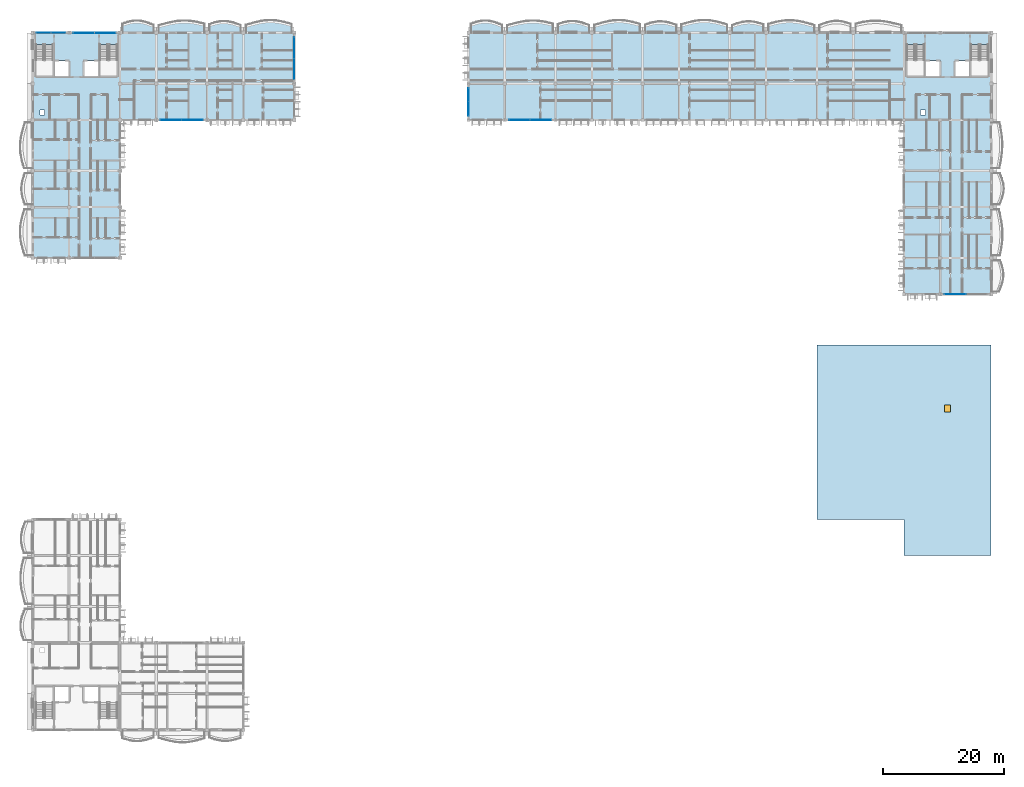
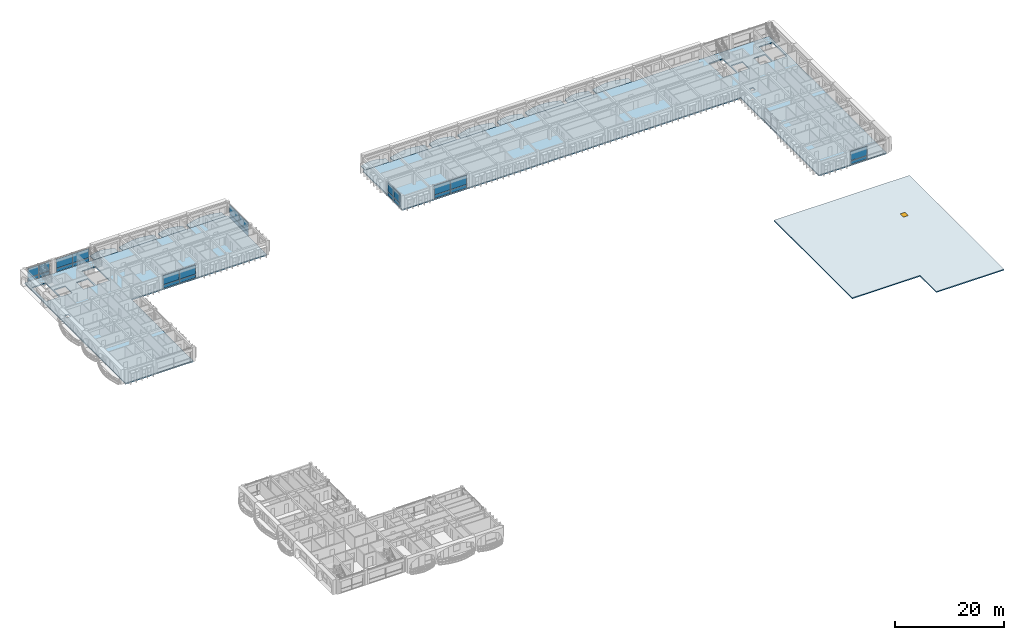
# One storey, part 18 of 54: 26 plates, 15 slabs, 1 door, 1 opening, 7 elements without a shape of their own.
"""IFC4 building model written with IfcOpenShell, lengths in metres."""

from ifc_helpers import new_model, si_unit, direction, frame, origin, origin_2d, place, context, subcontext, project, spatial, polyline, rectangle, outline, extrude, material, layer, layer_set, type_object, element, fill, aggregate, save


model = new_model("IFC4")

# Units and contexts
model_context = context("Model", 3, precision=1e-05, world=origin(), true_north=direction((0.0, 1.0)))
body_context = subcontext(model_context, "Body", "Model", "MODEL_VIEW")
ifc_project = project(units=[si_unit("LENGTHUNIT", "METRE"), si_unit("AREAUNIT", "SQUARE_METRE"), si_unit("VOLUMEUNIT", "CUBIC_METRE"), si_unit("PLANEANGLEUNIT", "RADIAN"), si_unit("MASSUNIT", "GRAM", prefix="KILO"), si_unit("THERMODYNAMICTEMPERATUREUNIT", "KELVIN")], contexts=[model_context])

# Site, building, storey
site_placement = place(None, origin())
site = spatial("IfcSite", under=ifc_project, at=site_placement, CompositionType="ELEMENT")
building_placement = place(site_placement, origin())
building = spatial("IfcBuilding", under=site, at=building_placement, Name="Thalorik Housing Commons", CompositionType="ELEMENT")
storey_placement = place(building_placement, frame((0.0, 0.0, 31.199951171875)))
storey = spatial("IfcBuildingStorey", under=building, at=storey_placement, Name="L09", CompositionType="ELEMENT", Elevation=31.199951171875)

# Curtain wall, plates
ifc_material_1 = material(Name="Anodised aluminium and solar-control low-E glass", Category="aluminium")
curtain_wall_type_1 = type_object("IfcCurtainWallType", Name="ARC-CW-LOUNGE", PredefinedType="USERDEFINED", material=ifc_material_1)
curtain_wall_1_placement = place(storey_placement, origin())
curtain_wall_1 = element("IfcCurtainWall", 1, at=curtain_wall_1_placement, inside=storey, type_object=curtain_wall_type_1, Name="L09 Curtain Wall CW-RES-L09-B-112", ObjectType="CURTAIN WALL", PredefinedType="USERDEFINED")
ifc_material_2 = material(Name="Cobalt blue enamelled aluminium spandrel panel", Category="aluminium")
ifc_layer_1 = layer(ifc_material_2, 0.0458984375, Name="Cobalt blue enamelled aluminium spandrel panel", Category="aluminium")
ifc_layer_set_1 = layer_set([ifc_layer_1], Name="Cobalt blue enamelled aluminium spandrel panel")
plate_type_1 = type_object("IfcPlateType", Name="ARC-CP-BLU-46", PredefinedType="CURTAIN_PANEL", material=ifc_layer_set_1)
plate_1_placement = place(storey_placement, frame((88.85009765625, 109.199951171875, 0.080078125), z_axis=(0.0, 0.0, 1.0), x_axis=(1.0, 0.0, 0.0)))
plate_1 = element("IfcPlate", 2, at=plate_1_placement, type_object=plate_type_1, Name="CW-RES-L09-B-112 Spandrel Panel 1", PredefinedType="CURTAIN_PANEL", context=body_context, shape_type="SweptSolid", body=[
    extrude(rectangle(XDim=3.43994140625, YDim=0.0458984375, at=origin_2d()), origin(), (0.0, 0.0, 1.0), 0.760009765625),
])
plate_2_placement = place(storey_placement, frame((92.35009765625, 109.199951171875, 0.080078125), z_axis=(0.0, 0.0, 1.0), x_axis=(1.0, 0.0, 0.0)))
plate_2 = element("IfcPlate", 3, at=plate_2_placement, type_object=plate_type_1, Name="CW-RES-L09-B-112 Spandrel Panel 2", PredefinedType="CURTAIN_PANEL", context=body_context, shape_type="SweptSolid", body=[
    extrude(rectangle(XDim=3.43994140625, YDim=0.0458984375, at=origin_2d()), origin(), (0.0, 0.0, 1.0), 0.760009765625),
])

curtain_wall_2_placement = place(storey_placement, origin())
curtain_wall_2 = element("IfcCurtainWall", 4, at=curtain_wall_2_placement, inside=storey, type_object=curtain_wall_type_1, Name="L09 Curtain Wall CW-RES-L09-A-038", ObjectType="CURTAIN WALL", PredefinedType="USERDEFINED")
ifc_material_3 = material(Name="Double solar-control low-E glass", Category="glass")
ifc_layer_2 = layer(ifc_material_3, 0.028076171875, Name="Double solar-control low-E glass", Category="glass")
ifc_layer_set_2 = layer_set([ifc_layer_2], Name="Double solar-control low-E glass")
plate_type_2 = type_object("IfcPlateType", Name="ARC-CP-GLZ-28", PredefinedType="CURTAIN_PANEL", material=ifc_layer_set_2)
plate_3_placement = place(storey_placement, frame((31.25, 109.199951171875, 0.919921875), z_axis=(0.0, 0.0, 1.0), x_axis=(1.0, 0.0, 0.0)))
plate_3 = element("IfcPlate", 5, at=plate_3_placement, type_object=plate_type_2, Name="CW-RES-L09-A-038 Vision Panel 1", PredefinedType="CURTAIN_PANEL", context=body_context, shape_type="SweptSolid", body=[
    extrude(rectangle(XDim=3.43994140625, YDim=0.028076171875, at=origin_2d()), origin(), (0.0, 0.0, 1.0), 2.0400390625),
])
plate_4_placement = place(storey_placement, frame((34.75, 109.199951171875, 0.919921875), z_axis=(0.0, 0.0, 1.0), x_axis=(1.0, 0.0, 0.0)))
plate_4 = element("IfcPlate", 6, at=plate_4_placement, type_object=plate_type_2, Name="CW-RES-L09-A-038 Vision Panel 2", PredefinedType="CURTAIN_PANEL", context=body_context, shape_type="SweptSolid", body=[
    extrude(rectangle(XDim=3.43994140625, YDim=0.028076171875, at=origin_2d()), origin(), (0.0, 0.0, 1.0), 2.0400390625),
])

curtain_wall_3_placement = place(storey_placement, origin())
curtain_wall_3 = element("IfcCurtainWall", 7, at=curtain_wall_3_placement, inside=storey, type_object=curtain_wall_type_1, Name="L09 Curtain Wall CW-RES-L09-A-039", ObjectType="CURTAIN WALL", PredefinedType="USERDEFINED")
plate_5_placement = place(storey_placement, frame((51.60009765625, 117.64990234375, 0.919921875), z_axis=(0.0, 0.0, 1.0), x_axis=(0.0, 1.0, 0.0)))
plate_5 = element("IfcPlate", 8, at=plate_5_placement, type_object=plate_type_2, Name="CW-RES-L09-A-039 Vision Panel 1", PredefinedType="CURTAIN_PANEL", context=body_context, shape_type="SweptSolid", body=[
    extrude(rectangle(XDim=3.43994140625, YDim=0.028076171875, at=origin_2d()), origin(), (0.0, 0.0, 1.0), 2.0400390625),
])
plate_6_placement = place(storey_placement, frame((51.60009765625, 121.14990234375, 0.919921875), z_axis=(0.0, 0.0, 1.0), x_axis=(0.0, 1.0, 0.0)))
plate_6 = element("IfcPlate", 9, at=plate_6_placement, type_object=plate_type_2, Name="CW-RES-L09-A-039 Vision Panel 2", PredefinedType="CURTAIN_PANEL", context=body_context, shape_type="SweptSolid", body=[
    extrude(rectangle(XDim=3.43994140625, YDim=0.028076171875, at=origin_2d()), origin(), (0.0, 0.0, 1.0), 2.0400390625),
])

curtain_wall_type_2 = type_object("IfcCurtainWallType", Name="ARC-CW-CORE", PredefinedType="USERDEFINED", material=ifc_material_1)
curtain_wall_4_placement = place(storey_placement, origin())
curtain_wall_4 = element("IfcCurtainWall", 10, at=curtain_wall_4_placement, inside=storey, type_object=curtain_wall_type_2, Name="L09 Curtain Wall CW-CORE-L09-A-040", ObjectType="CURTAIN WALL", PredefinedType="USERDEFINED")
plate_7_placement = place(storey_placement, frame((20.375, 123.60009765625, 0.919921875), z_axis=(0.0, 0.0, 1.0), x_axis=(-1.0, 0.0, 0.0)))
plate_7 = element("IfcPlate", 11, at=plate_7_placement, type_object=plate_type_2, Name="CW-CORE-L09-A-040 Vision Panel 1", PredefinedType="CURTAIN_PANEL", context=body_context, shape_type="SweptSolid", body=[
    extrude(rectangle(XDim=3.489990234375, YDim=0.028076171875, at=origin_2d()), origin(), (0.0, 0.0, 1.0), 2.0400390625),
])
plate_8_placement = place(storey_placement, frame((16.824951171875, 123.60009765625, 0.919921875), z_axis=(0.0, 0.0, 1.0), x_axis=(-1.0, 0.0, 0.0)))
plate_8 = element("IfcPlate", 12, at=plate_8_placement, type_object=plate_type_2, Name="CW-CORE-L09-A-040 Vision Panel 2", PredefinedType="CURTAIN_PANEL", context=body_context, shape_type="SweptSolid", body=[
    extrude(rectangle(XDim=3.489990234375, YDim=0.028076171875, at=origin_2d()), origin(), (0.0, 0.0, 1.0), 2.0400390625),
])

curtain_wall_5_placement = place(storey_placement, origin())
curtain_wall_5 = element("IfcCurtainWall", 13, at=curtain_wall_5_placement, inside=storey, type_object=curtain_wall_type_2, Name="L09 Curtain Wall CW-CORE-L09-A-041", ObjectType="CURTAIN WALL", PredefinedType="USERDEFINED")
plate_9_placement = place(storey_placement, frame((12.574951171875, 123.60009765625, 0.919921875), z_axis=(0.0, 0.0, 1.0), x_axis=(-1.0, 0.0, 0.0)))
plate_9 = element("IfcPlate", 14, at=plate_9_placement, type_object=plate_type_2, Name="CW-CORE-L09-A-041 Vision Panel 1", PredefinedType="CURTAIN_PANEL", context=body_context, shape_type="SweptSolid", body=[
    extrude(rectangle(XDim=2.2900390625, YDim=0.028076171875, at=origin_2d()), origin(), (0.0, 0.0, 1.0), 2.0400390625),
])
plate_10_placement = place(storey_placement, frame((10.22509765625, 123.60009765625, 0.919921875), z_axis=(0.0, 0.0, 1.0), x_axis=(-1.0, 0.0, 0.0)))
plate_10 = element("IfcPlate", 15, at=plate_10_placement, type_object=plate_type_2, Name="CW-CORE-L09-A-041 Vision Panel 2", PredefinedType="CURTAIN_PANEL", context=body_context, shape_type="SweptSolid", body=[
    extrude(rectangle(XDim=2.2900390625, YDim=0.028076171875, at=origin_2d()), origin(), (0.0, 0.0, 1.0), 2.0400390625),
])

curtain_wall_6_placement = place(storey_placement, origin())
curtain_wall_6 = element("IfcCurtainWall", 16, at=curtain_wall_6_placement, inside=storey, type_object=curtain_wall_type_1, Name="L09 Curtain Wall CW-RES-L09-B-111", ObjectType="CURTAIN WALL", PredefinedType="USERDEFINED")
plate_11_placement = place(storey_placement, frame((80.39990234375, 113.35009765625, 0.919921875), z_axis=(0.0, 0.0, 1.0), x_axis=(0.0, -1.0, 0.0)))
plate_11 = element("IfcPlate", 17, at=plate_11_placement, type_object=plate_type_2, Name="CW-RES-L09-B-111 Vision Panel 1", PredefinedType="CURTAIN_PANEL", context=body_context, shape_type="SweptSolid", body=[
    extrude(rectangle(XDim=2.239990234375, YDim=0.028076171875, at=origin_2d()), origin(), (0.0, 0.0, 1.0), 2.0400390625),
])
plate_12_placement = place(storey_placement, frame((80.39990234375, 111.050048828125, 0.919921875), z_axis=(0.0, 0.0, 1.0), x_axis=(0.0, -1.0, 0.0)))
plate_12 = element("IfcPlate", 18, at=plate_12_placement, type_object=plate_type_2, Name="CW-RES-L09-B-111 Vision Panel 2", PredefinedType="CURTAIN_PANEL", context=body_context, shape_type="SweptSolid", body=[
    extrude(rectangle(XDim=2.239990234375, YDim=0.028076171875, at=origin_2d()), origin(), (0.0, 0.0, 1.0), 2.0400390625),
])

# Plate
plate_13_placement = place(storey_placement, frame((88.85009765625, 109.199951171875, 0.919921875), z_axis=(0.0, 0.0, 1.0), x_axis=(1.0, 0.0, 0.0)))
plate_13 = element("IfcPlate", 19, at=plate_13_placement, type_object=plate_type_2, Name="CW-RES-L09-B-112 Vision Panel 1", PredefinedType="CURTAIN_PANEL", context=body_context, shape_type="SweptSolid", body=[
    extrude(rectangle(XDim=3.43994140625, YDim=0.028076171875, at=origin_2d()), origin(), (0.0, 0.0, 1.0), 2.0400390625),
])

plate_14_placement = place(storey_placement, frame((92.35009765625, 109.199951171875, 0.919921875), z_axis=(0.0, 0.0, 1.0), x_axis=(1.0, 0.0, 0.0)))
plate_14 = element("IfcPlate", 20, at=plate_14_placement, type_object=plate_type_2, Name="CW-RES-L09-B-112 Vision Panel 2", PredefinedType="CURTAIN_PANEL", context=body_context, shape_type="SweptSolid", body=[
    extrude(rectangle(XDim=3.43994140625, YDim=0.028076171875, at=origin_2d()), origin(), (0.0, 0.0, 1.0), 2.0400390625),
])

aggregate(curtain_wall_1, [plate_1, plate_13, plate_2, plate_14])

# Curtain wall, plate
curtain_wall_7_placement = place(storey_placement, origin())
curtain_wall_7 = element("IfcCurtainWall", 21, at=curtain_wall_7_placement, inside=storey, type_object=curtain_wall_type_1, Name="L09 Curtain Wall CW-RES-L09-B-114", ObjectType="CURTAIN WALL", PredefinedType="USERDEFINED")
plate_15_placement = place(storey_placement, frame((160.85009765625, 80.39990234375, 0.919921875), z_axis=(0.0, 0.0, 1.0), x_axis=(1.0, 0.0, 0.0)))
plate_15 = element("IfcPlate", 22, at=plate_15_placement, type_object=plate_type_2, Name="CW-RES-L09-B-114 Vision Panel 1", PredefinedType="CURTAIN_PANEL", context=body_context, shape_type="SweptSolid", body=[
    extrude(rectangle(XDim=3.43994140625, YDim=0.028076171875, at=origin_2d()), origin(), (0.0, 0.0, 1.0), 2.0400390625),
])

# Plate
ifc_material_4 = material(Name="Oxide red enamelled aluminium spandrel panel", Category="aluminium")
ifc_layer_3 = layer(ifc_material_4, 0.0419921875, Name="Oxide red enamelled aluminium spandrel panel", Category="aluminium")
ifc_layer_set_3 = layer_set([ifc_layer_3], Name="Oxide red enamelled aluminium spandrel panel")
plate_type_3 = type_object("IfcPlateType", Name="ARC-CP-RED-42", PredefinedType="CURTAIN_PANEL", material=ifc_layer_set_3)
plate_16_placement = place(storey_placement, frame((51.60009765625, 117.64990234375, 0.080078125), z_axis=(0.0, 0.0, 1.0), x_axis=(0.0, 1.0, 0.0)))
plate_16 = element("IfcPlate", 23, at=plate_16_placement, type_object=plate_type_3, Name="CW-RES-L09-A-039 Spandrel Panel 1", PredefinedType="CURTAIN_PANEL", context=body_context, shape_type="SweptSolid", body=[
    extrude(rectangle(XDim=3.43994140625, YDim=0.0419921875, at=origin_2d()), origin(), (0.0, 0.0, 1.0), 0.760009765625),
])

plate_17_placement = place(storey_placement, frame((51.60009765625, 121.14990234375, 0.080078125), z_axis=(0.0, 0.0, 1.0), x_axis=(0.0, 1.0, 0.0)))
plate_17 = element("IfcPlate", 24, at=plate_17_placement, type_object=plate_type_3, Name="CW-RES-L09-A-039 Spandrel Panel 2", PredefinedType="CURTAIN_PANEL", context=body_context, shape_type="SweptSolid", body=[
    extrude(rectangle(XDim=3.43994140625, YDim=0.0419921875, at=origin_2d()), origin(), (0.0, 0.0, 1.0), 0.760009765625),
])

aggregate(curtain_wall_3, [plate_16, plate_5, plate_17, plate_6])

plate_18_placement = place(storey_placement, frame((12.574951171875, 123.60009765625, 0.080078125), z_axis=(0.0, 0.0, 1.0), x_axis=(-1.0, 0.0, 0.0)))
plate_18 = element("IfcPlate", 25, at=plate_18_placement, type_object=plate_type_3, Name="CW-CORE-L09-A-041 Spandrel Panel 1", PredefinedType="CURTAIN_PANEL", context=body_context, shape_type="SweptSolid", body=[
    extrude(rectangle(XDim=2.2900390625, YDim=0.0419921875, at=origin_2d()), origin(), (0.0, 0.0, 1.0), 0.760009765625),
])

plate_19_placement = place(storey_placement, frame((10.22509765625, 123.60009765625, 0.080078125), z_axis=(0.0, 0.0, 1.0), x_axis=(-1.0, 0.0, 0.0)))
plate_19 = element("IfcPlate", 26, at=plate_19_placement, type_object=plate_type_3, Name="CW-CORE-L09-A-041 Spandrel Panel 2", PredefinedType="CURTAIN_PANEL", context=body_context, shape_type="SweptSolid", body=[
    extrude(rectangle(XDim=2.2900390625, YDim=0.0419921875, at=origin_2d()), origin(), (0.0, 0.0, 1.0), 0.760009765625),
])

aggregate(curtain_wall_5, [plate_18, plate_9, plate_19, plate_10])

plate_20_placement = place(storey_placement, frame((160.85009765625, 80.39990234375, 0.080078125), z_axis=(0.0, 0.0, 1.0), x_axis=(1.0, 0.0, 0.0)))
plate_20 = element("IfcPlate", 27, at=plate_20_placement, type_object=plate_type_3, Name="CW-RES-L09-B-114 Spandrel Panel 1", PredefinedType="CURTAIN_PANEL", context=body_context, shape_type="SweptSolid", body=[
    extrude(rectangle(XDim=3.43994140625, YDim=0.0419921875, at=origin_2d()), origin(), (0.0, 0.0, 1.0), 0.760009765625),
])

aggregate(curtain_wall_7, [plate_20, plate_15])

ifc_material_5 = material(Name="Mineral ochre yellow aluminium spandrel panel", Category="aluminium")
ifc_layer_4 = layer(ifc_material_5, 0.050048828125, Name="Mineral ochre yellow aluminium spandrel panel", Category="aluminium")
ifc_layer_set_4 = layer_set([ifc_layer_4], Name="Mineral ochre yellow aluminium spandrel panel")
plate_type_4 = type_object("IfcPlateType", Name="ARC-CP-YEL-50", PredefinedType="CURTAIN_PANEL", material=ifc_layer_set_4)
plate_21_placement = place(storey_placement, frame((31.25, 109.199951171875, 0.080078125), z_axis=(0.0, 0.0, 1.0), x_axis=(1.0, 0.0, 0.0)))
plate_21 = element("IfcPlate", 28, at=plate_21_placement, type_object=plate_type_4, Name="CW-RES-L09-A-038 Spandrel Panel 1", PredefinedType="CURTAIN_PANEL", context=body_context, shape_type="SweptSolid", body=[
    extrude(rectangle(XDim=3.43994140625, YDim=0.050048828125, at=origin_2d()), origin(), (0.0, 0.0, 1.0), 0.760009765625),
])

plate_22_placement = place(storey_placement, frame((34.75, 109.199951171875, 0.080078125), z_axis=(0.0, 0.0, 1.0), x_axis=(1.0, 0.0, 0.0)))
plate_22 = element("IfcPlate", 29, at=plate_22_placement, type_object=plate_type_4, Name="CW-RES-L09-A-038 Spandrel Panel 2", PredefinedType="CURTAIN_PANEL", context=body_context, shape_type="SweptSolid", body=[
    extrude(rectangle(XDim=3.43994140625, YDim=0.050048828125, at=origin_2d()), origin(), (0.0, 0.0, 1.0), 0.760009765625),
])

aggregate(curtain_wall_2, [plate_21, plate_3, plate_22, plate_4])

plate_23_placement = place(storey_placement, frame((20.375, 123.60009765625, 0.080078125), z_axis=(0.0, 0.0, 1.0), x_axis=(-1.0, 0.0, 0.0)))
plate_23 = element("IfcPlate", 30, at=plate_23_placement, type_object=plate_type_4, Name="CW-CORE-L09-A-040 Spandrel Panel 1", PredefinedType="CURTAIN_PANEL", context=body_context, shape_type="SweptSolid", body=[
    extrude(rectangle(XDim=3.489990234375, YDim=0.050048828125, at=origin_2d()), origin(), (0.0, 0.0, 1.0), 0.760009765625),
])

plate_24_placement = place(storey_placement, frame((16.824951171875, 123.60009765625, 0.080078125), z_axis=(0.0, 0.0, 1.0), x_axis=(-1.0, 0.0, 0.0)))
plate_24 = element("IfcPlate", 31, at=plate_24_placement, type_object=plate_type_4, Name="CW-CORE-L09-A-040 Spandrel Panel 2", PredefinedType="CURTAIN_PANEL", context=body_context, shape_type="SweptSolid", body=[
    extrude(rectangle(XDim=3.489990234375, YDim=0.050048828125, at=origin_2d()), origin(), (0.0, 0.0, 1.0), 0.760009765625),
])

aggregate(curtain_wall_4, [plate_23, plate_7, plate_24, plate_8])

plate_25_placement = place(storey_placement, frame((80.39990234375, 113.35009765625, 0.080078125), z_axis=(0.0, 0.0, 1.0), x_axis=(0.0, -1.0, 0.0)))
plate_25 = element("IfcPlate", 32, at=plate_25_placement, type_object=plate_type_4, Name="CW-RES-L09-B-111 Spandrel Panel 1", PredefinedType="CURTAIN_PANEL", context=body_context, shape_type="SweptSolid", body=[
    extrude(rectangle(XDim=2.239990234375, YDim=0.050048828125, at=origin_2d()), origin(), (0.0, 0.0, 1.0), 0.760009765625),
])

plate_26_placement = place(storey_placement, frame((80.39990234375, 111.050048828125, 0.080078125), z_axis=(0.0, 0.0, 1.0), x_axis=(0.0, -1.0, 0.0)))
plate_26 = element("IfcPlate", 33, at=plate_26_placement, type_object=plate_type_4, Name="CW-RES-L09-B-111 Spandrel Panel 2", PredefinedType="CURTAIN_PANEL", context=body_context, shape_type="SweptSolid", body=[
    extrude(rectangle(XDim=2.239990234375, YDim=0.050048828125, at=origin_2d()), origin(), (0.0, 0.0, 1.0), 0.760009765625),
])

aggregate(curtain_wall_6, [plate_25, plate_11, plate_26, plate_12])

# Slabs
ifc_material_6 = material(Name="Precast concrete C40/50", Category="concrete")
ifc_layer_5 = layer(ifc_material_6, 0.199951171875, Name="Precast concrete C40/50", Category="concrete")
ifc_layer_set_5 = layer_set([ifc_layer_5], Name="Precast concrete C40/50")
slab_type_1 = type_object("IfcSlabType", Name="STR-SLB-BALC-200", PredefinedType="FLOOR", material=ifc_layer_set_5)
slab_1_placement = place(storey_placement, frame((0.0, 0.0, -0.199951171875)))
element("IfcSlab", 34, at=slab_1_placement, inside=storey, type_object=slab_type_1, Name="L09 Block A Cushion Balcony 62", PredefinedType="FLOOR", context=body_context, shape_type="SweptSolid", body=[
    extrude(outline(polyline([(23.219970703125, 123.60009765625), (28.3798828125, 123.60009765625), (28.3798828125, 124.87841796875), (27.949951171875, 125.052978515625), (27.52001953125, 125.218994140625), (27.090087890625, 125.366455078125), (26.659912109375, 125.485595703125), (26.22998046875, 125.569091796875), (25.800048828125, 125.61181640625), (25.3701171875, 125.61181640625), (24.93994140625, 125.56982421875), (24.510009765625, 125.489013671875), (24.080078125, 125.3759765625), (23.64990234375, 125.23828125), (23.219970703125, 125.0859375), (23.219970703125, 123.60009765625)])), origin(), (0.0, 0.0, 1.0), 0.199951171875),
])
slab_2_placement = place(storey_placement, frame((0.0, 0.0, -0.199951171875)))
element("IfcSlab", 35, at=slab_2_placement, inside=storey, type_object=slab_type_1, Name="L09 Block A Cushion Balcony 64", PredefinedType="FLOOR", context=body_context, shape_type="SweptSolid", body=[
    extrude(outline(polyline([(37.6201171875, 123.60009765625), (42.780029296875, 123.60009765625), (42.780029296875, 124.850341796875), (42.35009765625, 125.009033203125), (41.919921875, 125.1611328125), (41.489990234375, 125.29638671875), (41.06005859375, 125.406005859375), (40.6298828125, 125.482421875), (40.199951171875, 125.521484375), (39.77001953125, 125.52099609375), (39.340087890625, 125.4814453125), (38.909912109375, 125.406494140625), (38.47998046875, 125.3017578125), (38.050048828125, 125.17529296875), (37.6201171875, 125.036376953125), (37.6201171875, 123.60009765625)])), origin(), (0.0, 0.0, 1.0), 0.199951171875),
])
slab_3_placement = place(storey_placement, frame((0.0, 0.0, -0.199951171875)))
element("IfcSlab", 36, at=slab_3_placement, inside=storey, type_object=slab_type_1, Name="L09 Block B Cushion Balcony 210", PredefinedType="FLOOR", context=body_context, shape_type="SweptSolid", body=[
    extrude(outline(polyline([(80.820068359375, 123.60009765625), (85.97998046875, 123.60009765625), (85.97998046875, 124.87841796875), (85.550048828125, 125.052978515625), (85.1201171875, 125.218994140625), (84.68994140625, 125.366455078125), (84.260009765625, 125.485595703125), (83.830078125, 125.569091796875), (83.39990234375, 125.61181640625), (82.969970703125, 125.61181640625), (82.5400390625, 125.56982421875), (82.110107421875, 125.489013671875), (81.679931640625, 125.3759765625), (81.25, 125.23828125), (80.820068359375, 125.0859375), (80.820068359375, 123.60009765625)])), origin(), (0.0, 0.0, 1.0), 0.199951171875),
])
slab_4_placement = place(storey_placement, frame((0.0, 0.0, -0.199951171875)))
element("IfcSlab", 37, at=slab_4_placement, inside=storey, type_object=slab_type_1, Name="L09 Block B Cushion Balcony 212", PredefinedType="FLOOR", context=body_context, shape_type="SweptSolid", body=[
    extrude(outline(polyline([(95.219970703125, 123.60009765625), (100.3798828125, 123.60009765625), (100.3798828125, 124.850341796875), (99.949951171875, 125.009033203125), (99.52001953125, 125.1611328125), (99.090087890625, 125.29638671875), (98.659912109375, 125.406005859375), (98.22998046875, 125.482421875), (97.800048828125, 125.521484375), (97.3701171875, 125.52099609375), (96.93994140625, 125.4814453125), (96.510009765625, 125.406494140625), (96.080078125, 125.3017578125), (95.64990234375, 125.17529296875), (95.219970703125, 125.036376953125), (95.219970703125, 123.60009765625)])), origin(), (0.0, 0.0, 1.0), 0.199951171875),
])
slab_5_placement = place(storey_placement, frame((0.0, 0.0, -0.199951171875)))
element("IfcSlab", 38, at=slab_5_placement, inside=storey, type_object=slab_type_1, Name="L09 Block B Cushion Balcony 214", PredefinedType="FLOOR", context=body_context, shape_type="SweptSolid", body=[
    extrude(outline(polyline([(109.6201171875, 123.60009765625), (114.780029296875, 123.60009765625), (114.780029296875, 124.8916015625), (114.35009765625, 125.03466796875), (113.919921875, 125.169921875), (113.489990234375, 125.2880859375), (113.06005859375, 125.380859375), (112.6298828125, 125.44140625), (112.199951171875, 125.466064453125), (111.77001953125, 125.452880859375), (111.340087890625, 125.4033203125), (110.909912109375, 125.321044921875), (110.47998046875, 125.2119140625), (110.050048828125, 125.084228515625), (109.6201171875, 124.947265625), (109.6201171875, 123.60009765625)])), origin(), (0.0, 0.0, 1.0), 0.199951171875),
])
slab_6_placement = place(storey_placement, frame((0.0, 0.0, -0.199951171875)))
element("IfcSlab", 39, at=slab_6_placement, inside=storey, type_object=slab_type_1, Name="L09 Block B Cushion Balcony 216", PredefinedType="FLOOR", context=body_context, shape_type="SweptSolid", body=[
    extrude(outline(polyline([(124.02001953125, 123.60009765625), (129.179931640625, 123.60009765625), (129.179931640625, 124.978271484375), (128.75, 125.114501953125), (128.320068359375, 125.240234375), (127.889892578125, 125.34619140625), (127.4599609375, 125.4248046875), (127.030029296875, 125.469970703125), (126.60009765625, 125.477783203125), (126.169921875, 125.44775390625), (125.739990234375, 125.38134765625), (125.31005859375, 125.28271484375), (124.8798828125, 125.158935546875), (124.449951171875, 125.0185546875), (124.02001953125, 124.870849609375), (124.02001953125, 123.60009765625)])), origin(), (0.0, 0.0, 1.0), 0.199951171875),
])
ifc_layer_6 = layer(ifc_material_6, 0.219970703125, Name="Precast concrete C40/50", Category="concrete")
ifc_layer_set_6 = layer_set([ifc_layer_6], Name="Precast concrete C40/50")
slab_type_2 = type_object("IfcSlabType", Name="STR-SLB-BALC-220", PredefinedType="FLOOR", material=ifc_layer_set_6)
slab_7_placement = place(storey_placement, frame((0.0, 0.0, -0.219970703125)))
element("IfcSlab", 40, at=slab_7_placement, inside=storey, type_object=slab_type_2, Name="L09 Block A Cushion Balcony 63", PredefinedType="FLOOR", context=body_context, shape_type="SweptSolid", body=[
    extrude(outline(polyline([(29.219970703125, 123.60009765625), (36.780029296875, 123.60009765625), (36.780029296875, 125.08544921875), (36.14990234375, 125.24609375), (35.52001953125, 125.38720703125), (34.889892578125, 125.498779296875), (34.260009765625, 125.573974609375), (33.6298828125, 125.607177734375), (33.0, 125.596435546875), (32.3701171875, 125.543212890625), (31.739990234375, 125.45068359375), (31.110107421875, 125.32568359375), (30.47998046875, 125.177001953125), (29.85009765625, 125.0146484375), (29.219970703125, 124.85009765625), (29.219970703125, 123.60009765625)])), origin(), (0.0, 0.0, 1.0), 0.219970703125),
])
slab_8_placement = place(storey_placement, frame((0.0, 0.0, -0.219970703125)))
element("IfcSlab", 41, at=slab_8_placement, inside=storey, type_object=slab_type_2, Name="L09 Block A Cushion Balcony 65", PredefinedType="FLOOR", context=body_context, shape_type="SweptSolid", body=[
    extrude(outline(polyline([(43.6201171875, 123.60009765625), (51.179931640625, 123.60009765625), (51.179931640625, 125.03369140625), (50.550048828125, 125.216796875), (49.919921875, 125.38232421875), (49.2900390625, 125.51904296875), (48.659912109375, 125.617431640625), (48.030029296875, 125.670654296875), (47.39990234375, 125.67529296875), (46.77001953125, 125.63134765625), (46.139892578125, 125.541748046875), (45.510009765625, 125.41259765625), (44.8798828125, 125.25341796875), (44.25, 125.07470703125), (43.6201171875, 124.889404296875), (43.6201171875, 123.60009765625)])), origin(), (0.0, 0.0, 1.0), 0.219970703125),
])
slab_9_placement = place(storey_placement, frame((0.0, 0.0, -0.219970703125)))
element("IfcSlab", 42, at=slab_9_placement, inside=storey, type_object=slab_type_2, Name="L09 Block B Cushion Balcony 211", PredefinedType="FLOOR", context=body_context, shape_type="SweptSolid", body=[
    extrude(outline(polyline([(86.820068359375, 123.60009765625), (94.3798828125, 123.60009765625), (94.3798828125, 125.08544921875), (93.75, 125.24609375), (93.1201171875, 125.38720703125), (92.489990234375, 125.498779296875), (91.860107421875, 125.573974609375), (91.22998046875, 125.607177734375), (90.60009765625, 125.596435546875), (89.969970703125, 125.543212890625), (89.340087890625, 125.45068359375), (88.7099609375, 125.32568359375), (88.080078125, 125.177001953125), (87.449951171875, 125.0146484375), (86.820068359375, 124.85009765625), (86.820068359375, 123.60009765625)])), origin(), (0.0, 0.0, 1.0), 0.219970703125),
])
slab_10_placement = place(storey_placement, frame((0.0, 0.0, -0.219970703125)))
element("IfcSlab", 43, at=slab_10_placement, inside=storey, type_object=slab_type_2, Name="L09 Block B Cushion Balcony 213", PredefinedType="FLOOR", context=body_context, shape_type="SweptSolid", body=[
    extrude(outline(polyline([(101.219970703125, 123.60009765625), (108.780029296875, 123.60009765625), (108.780029296875, 125.03369140625), (108.14990234375, 125.216796875), (107.52001953125, 125.38232421875), (106.889892578125, 125.51904296875), (106.260009765625, 125.617431640625), (105.6298828125, 125.670654296875), (105.0, 125.67529296875), (104.3701171875, 125.63134765625), (103.739990234375, 125.541748046875), (103.110107421875, 125.41259765625), (102.47998046875, 125.25341796875), (101.85009765625, 125.07470703125), (101.219970703125, 124.889404296875), (101.219970703125, 123.60009765625)])), origin(), (0.0, 0.0, 1.0), 0.219970703125),
])
slab_11_placement = place(storey_placement, frame((0.0, 0.0, -0.219970703125)))
element("IfcSlab", 44, at=slab_11_placement, inside=storey, type_object=slab_type_2, Name="L09 Block B Cushion Balcony 215", PredefinedType="FLOOR", context=body_context, shape_type="SweptSolid", body=[
    extrude(outline(polyline([(115.6201171875, 123.60009765625), (123.179931640625, 123.60009765625), (123.179931640625, 124.9443359375), (122.550048828125, 125.13525390625), (121.919921875, 125.314697265625), (121.2900390625, 125.470458984375), (120.659912109375, 125.591552734375), (120.030029296875, 125.66943359375), (119.39990234375, 125.698974609375), (118.77001953125, 125.677978515625), (118.139892578125, 125.607666015625), (117.510009765625, 125.4931640625), (116.8798828125, 125.34228515625), (116.25, 125.16552734375), (115.6201171875, 124.97509765625), (115.6201171875, 123.60009765625)])), origin(), (0.0, 0.0, 1.0), 0.219970703125),
])
slab_12_placement = place(storey_placement, frame((0.0, 0.0, -0.219970703125)))
element("IfcSlab", 45, at=slab_12_placement, inside=storey, type_object=slab_type_2, Name="L09 Block B Cushion Balcony 217", PredefinedType="FLOOR", context=body_context, shape_type="SweptSolid", body=[
    extrude(outline(polyline([(130.02001953125, 123.60009765625), (137.580078125, 123.60009765625), (137.580078125, 124.869140625), (136.949951171875, 125.048828125), (136.320068359375, 125.223876953125), (135.68994140625, 125.381591796875), (135.06005859375, 125.511474609375), (134.429931640625, 125.604248046875), (133.800048828125, 125.6533203125), (133.169921875, 125.655517578125), (132.5400390625, 125.610107421875), (131.909912109375, 125.520263671875), (131.280029296875, 125.39208984375), (130.64990234375, 125.234130859375), (130.02001953125, 125.057373046875), (130.02001953125, 123.60009765625)])), origin(), (0.0, 0.0, 1.0), 0.219970703125),
])
ifc_material_7 = material(Name="Precast concrete C45/55", Category="concrete")
ifc_layer_7 = layer(ifc_material_7, 0.260009765625, Name="Precast concrete C45/55", Category="concrete")
ifc_layer_set_7 = layer_set([ifc_layer_7], Name="Precast concrete C45/55")
slab_type_3 = type_object("IfcSlabType", Name="STR-SLB-HC-260", PredefinedType="FLOOR", material=ifc_layer_set_7)
slab_13_placement = place(storey_placement, frame((0.0, 0.0, -0.260009765625)))
element("IfcSlab", 46, at=slab_13_placement, inside=storey, type_object=slab_type_3, Name="L09 Residential Block A Floor Slab", PredefinedType="FLOOR", context=body_context, shape_type="SweptSolid", body=[
    extrude(outline(polyline([(8.39990234375, 123.60009765625), (8.39990234375, 109.199951171875), (8.39990234375, 86.39990234375), (22.800048828125, 86.39990234375), (22.800048828125, 109.199951171875), (51.60009765625, 109.199951171875), (51.60009765625, 123.60009765625), (8.39990234375, 123.60009765625)]), holes=[polyline([(8.85009765625, 121.64990234375), (11.75, 121.64990234375), (11.75, 116.449951171875), (8.85009765625, 116.449951171875), (8.85009765625, 121.64990234375)]), polyline([(22.35009765625, 121.64990234375), (22.35009765625, 116.449951171875), (19.449951171875, 116.449951171875), (19.449951171875, 121.64990234375), (22.35009765625, 121.64990234375)]), polyline([(14.39990234375, 119.0), (14.39990234375, 116.449951171875), (12.0, 116.449951171875), (12.0, 119.0), (14.39990234375, 119.0)]), polyline([(19.199951171875, 116.449951171875), (16.800048828125, 116.449951171875), (16.800048828125, 119.0), (19.199951171875, 119.0), (19.199951171875, 116.449951171875)]), polyline([(9.550048828125, 110.050048828125), (9.550048828125, 110.85009765625), (10.35009765625, 110.85009765625), (10.35009765625, 110.050048828125), (9.550048828125, 110.050048828125)])]), origin(), (0.0, 0.0, 1.0), 0.260009765625),
])
slab_14_placement = place(storey_placement, frame((0.0, 0.0, -0.260009765625)))
element("IfcSlab", 47, at=slab_14_placement, inside=storey, type_object=slab_type_3, Name="L09 Residential Block B Floor Slab", PredefinedType="FLOOR", context=body_context, shape_type="SweptSolid", body=[
    extrude(outline(polyline([(80.39990234375, 109.199951171875), (152.39990234375, 109.199951171875), (152.39990234375, 80.39990234375), (166.800048828125, 80.39990234375), (166.800048828125, 109.199951171875), (166.800048828125, 123.60009765625), (80.39990234375, 123.60009765625), (80.39990234375, 109.199951171875)]), holes=[polyline([(152.85009765625, 121.64990234375), (155.75, 121.64990234375), (155.75, 116.449951171875), (152.85009765625, 116.449951171875), (152.85009765625, 121.64990234375)]), polyline([(166.35009765625, 121.64990234375), (166.35009765625, 116.449951171875), (163.449951171875, 116.449951171875), (163.449951171875, 121.64990234375), (166.35009765625, 121.64990234375)]), polyline([(158.39990234375, 119.0), (158.39990234375, 116.449951171875), (156.0, 116.449951171875), (156.0, 119.0), (158.39990234375, 119.0)]), polyline([(163.199951171875, 116.449951171875), (160.800048828125, 116.449951171875), (160.800048828125, 119.0), (163.199951171875, 119.0), (163.199951171875, 116.449951171875)]), polyline([(155.14990234375, 110.050048828125), (155.14990234375, 110.85009765625), (155.949951171875, 110.85009765625), (155.949951171875, 110.050048828125), (155.14990234375, 110.050048828125)])]), origin(), (0.0, 0.0, 1.0), 0.260009765625),
])

# Slab, opening, door
ifc_layer_8 = layer(ifc_material_7, 0.239990234375, Name="Precast concrete C45/55", Category="concrete")
ifc_layer_set_8 = layer_set([ifc_layer_8], Name="Precast concrete C45/55")
slab_type_4 = type_object("IfcSlabType", Name="STR-SLB-ROOF-240", PredefinedType="ROOF", material=ifc_layer_set_8)
slab_15_placement = place(storey_placement, frame((0.0, 0.0, -0.239990234375)))
slab_15 = element("IfcSlab", 48, at=slab_15_placement, inside=storey, type_object=slab_type_4, Name="L09 Block D Main Roof Slab", PredefinedType="ROOF", context=body_context, shape_type="SweptSolid", body=[
    extrude(outline(polyline([(152.39990234375, 72.0), (138.0, 72.0), (138.0, 43.199951171875), (152.39990234375, 43.199951171875), (152.39990234375, 37.199951171875), (166.800048828125, 37.199951171875), (166.800048828125, 72.0), (152.39990234375, 72.0)])), origin(), (0.0, 0.0, 1.0), 0.239990234375),
])
opening_placement = place(slab_15_placement, frame((159.60009765625, 61.5, -0.010009765625)))
opening = element("IfcOpeningElement", 49, at=opening_placement, cuts=slab_15, Name="Opening RH-D1", PredefinedType="OPENING", context=body_context, shape_type="SweptSolid", body=[
    extrude(rectangle(XDim=1.0, YDim=1.199951171875, at=origin_2d()), origin(), (0.0, 0.0, 1.0), 0.31005859375),
])
ifc_material_8 = material(Name="Anodised aluminium and laminated safety glass", Category="aluminium")
door_type = type_object("IfcDoorType", Name="ARC-HT-ROOF-1000", OperationType="NOTDEFINED", PredefinedType="TRAPDOOR", material=ifc_material_8)
door_placement = place(opening_placement, frame((0.0, 0.0, 0.25)))
door = element("IfcDoor", 50, at=door_placement, inside=storey, type_object=door_type, Name="L09 Block D Maintenance Roof Hatch", OperationType="SINGLE_SWING_LEFT", OverallHeight=1.199951171875, OverallWidth=1.0, PredefinedType="TRAPDOOR", context=body_context, shape_type="SweptSolid", body=[
    extrude(rectangle(XDim=1.0, YDim=1.199951171875, at=origin_2d()), origin(), (0.0, 0.0, 1.0), 0.050048828125),
])
fill(opening, door)

save(model, "model.ifc")
